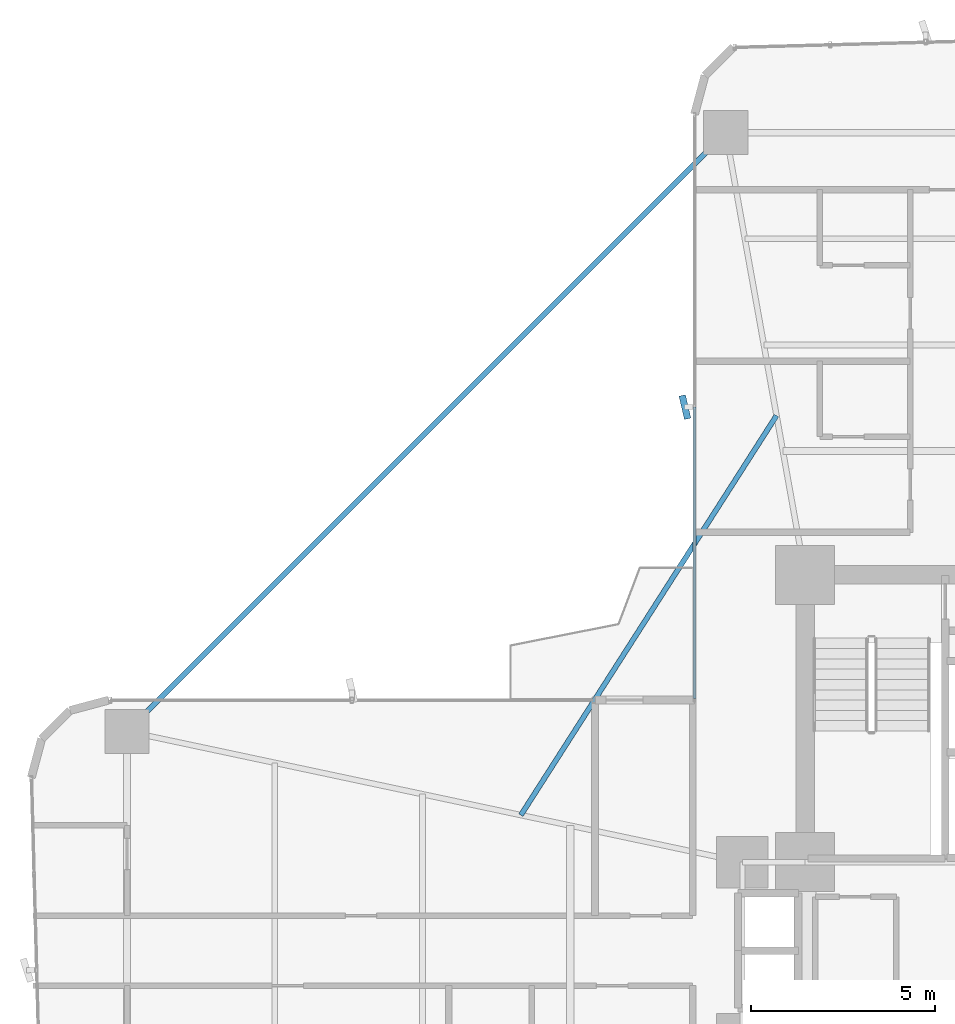
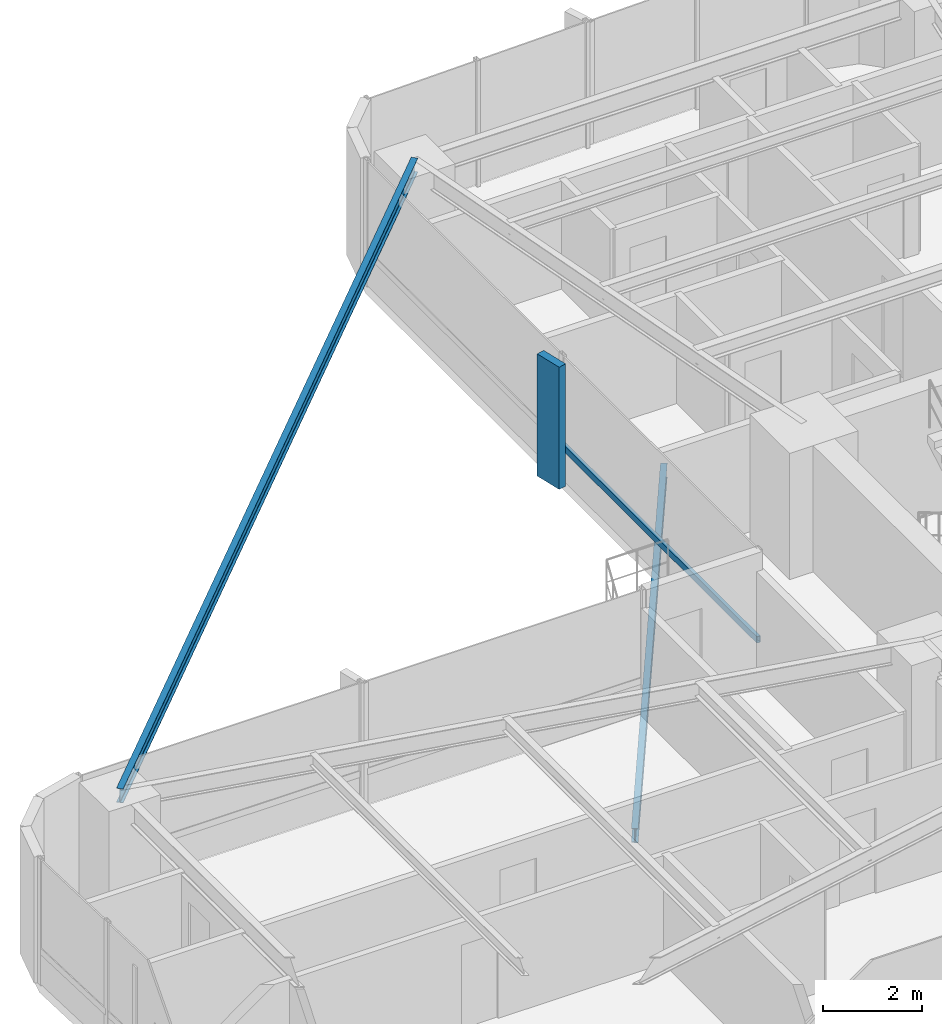
# One storey, part 17 of 26: 2 beams, 2 members, 1 element without a shape of its own.
"""IFC4 building model written with IfcOpenShell, lengths in metres."""

from ifc_helpers import new_model, si_unit, direction, frame, origin, origin_2d, place, context, subcontext, project, spatial, rectangle, hollow_rectangle, i_section, extrude, source, transform, mapped, material, material_profile, profile_set, type_object, element, aggregate, save


model = new_model("IFC4")

# Units and contexts
model_context = context("Model", 3, precision=1e-05, world=origin(), true_north=direction((0.0, 1.0)))
body_context = subcontext(model_context, "Body", "Model", "MODEL_VIEW")
ifc_project = project(units=[si_unit("LENGTHUNIT", "METRE"), si_unit("AREAUNIT", "SQUARE_METRE"), si_unit("VOLUMEUNIT", "CUBIC_METRE"), si_unit("PLANEANGLEUNIT", "RADIAN"), si_unit("MASSUNIT", "GRAM", prefix="KILO")], contexts=[model_context])

# Site, building, storey
site_placement = place(None, origin())
site = spatial("IfcSite", under=ifc_project, at=site_placement, CompositionType="ELEMENT")
building_placement = place(site_placement, origin())
building = spatial("IfcBuilding", under=site, at=building_placement, Name="Sahyath Konkavel Grand Hotel", CompositionType="ELEMENT")
storey_placement = place(building_placement, frame((0.0, 0.0, 29.800048828125)))
storey = spatial("IfcBuildingStorey", under=building, at=storey_placement, Name="L07", CompositionType="ELEMENT", Elevation=29.800048828125)

# Beam
ifc_material_1 = material(Name="Steel E350", Category="steel")
ifc_material_profile_1 = material_profile(ifc_material_1, i_section(OverallWidth=0.139892578125, OverallDepth=0.35009765625, WebThickness=0.008056640625, FlangeThickness=0.01416015625, FilletRadius=0.013916015625, at=origin_2d()), Name="ISMB 350")
ifc_profile_set_1 = profile_set([ifc_material_profile_1], Name="Steel E350")
beam_type_1 = type_object("IfcBeamType", Name="BM-ISMB350", PredefinedType="BEAM", material=ifc_profile_set_1)
shared_shape_1 = source(origin(), body_context, "Body", "SweptSolid", [
    extrude(i_section(OverallWidth=0.139892578125, OverallDepth=0.35009765625, WebThickness=0.008056640625, FlangeThickness=0.01416015625, FilletRadius=0.013916015625, at=origin_2d()), origin(), (0.0, 0.0, 1.0), 22.98095703125),
])
beam_1_placement = place(storey_placement, frame((-5.949951171875, 22.199951171875, 2.93505859375), z_axis=(-0.707106781187, -0.707106781187, 0.0), x_axis=(0.707106781187, -0.707106781187, 0.0)))
element("IfcBeam", 1, at=beam_1_placement, inside=storey, type_object=beam_type_1, Name="L07 Re-Entrant Tie Beam NW", PredefinedType="BEAM", context=body_context, shape_type="MappedRepresentation", body=[
    mapped(shared_shape_1, transform((0.0, 0.0, 0.0), scale=1.0)),
])

# Curtain wall, members
ifc_material_2 = material(Name="Anodised Bronze Aluminium & Low-E Glazing", Category="aluminium")
curtain_wall_type = type_object("IfcCurtainWallType", Name="CW-ZONE1", PredefinedType="NOTDEFINED", material=ifc_material_2)
curtain_wall_placement = place(storey_placement, origin())
curtain_wall = element("IfcCurtainWall", 2, at=curtain_wall_placement, inside=storey, type_object=curtain_wall_type, Name="L07 Unitised Curtain Wall F15", PredefinedType="NOTDEFINED")
ifc_material_3 = material(Name="Warm Buff Sandstone Cladding on Concrete C50/60", Category="masonry")
ifc_material_profile_2 = material_profile(ifc_material_3, rectangle(XDim=0.179931640625, YDim=0.64990234375, at=origin_2d()), Name="FIN 180x650")
ifc_profile_set_2 = profile_set([ifc_material_profile_2], Name="Warm Buff Sandstone Cladding on Concrete C50/60")
member_type_1 = type_object("IfcMemberType", Name="FIN-SANDSTONE-650", PredefinedType="MULLION", material=ifc_profile_set_2)
shared_shape_2 = source(origin(), body_context, "Body", "SweptSolid", [
    extrude(rectangle(XDim=0.179931640625, YDim=0.64990234375, at=origin_2d()), origin(), (0.0, 0.0, 1.0), 3.010009765625),
])
member_1_placement = place(storey_placement, frame((-7.06005859375, 14.75, 0.050048828125), z_axis=(0.0, 0.0, 1.0), x_axis=(0.973896791711, 0.226991275371, 0.0)))
member_1 = element("IfcMember", 3, at=member_1_placement, type_object=member_type_1, Name="L07 Sandstone Vertical Solar Fin FIN F15-1", PredefinedType="MULLION", context=body_context, shape_type="MappedRepresentation", body=[
    mapped(shared_shape_2, transform((0.0, 0.0, 0.0), scale=1.0)),
])
ifc_material_4 = material(Name="Anodised Bronze Aluminium", Category="aluminium")
ifc_material_profile_3 = material_profile(ifc_material_4, hollow_rectangle(XDim=0.080078125, YDim=0.159912109375, WallThickness=0.006103515625, at=origin_2d()), Name="RHS 160x80x6")
ifc_profile_set_3 = profile_set([ifc_material_profile_3], Name="Anodised Bronze Aluminium")
member_type_2 = type_object("IfcMemberType", Name="CW-TRN-160", PredefinedType="USERDEFINED", material=ifc_profile_set_3)
shared_shape_3 = source(origin(), body_context, "Body", "SweptSolid", [
    extrude(hollow_rectangle(XDim=0.080078125, YDim=0.159912109375, WallThickness=0.006103515625, at=origin_2d()), origin(), (0.0, 0.0, 1.0), 7.909912109375),
])
member_2_placement = place(storey_placement, frame((-6.800048828125, 14.75, 0.849853515625), z_axis=(0.0, -1.0, 0.0), x_axis=(1.0, 0.0, 0.0)))
member_2 = element("IfcMember", 4, at=member_2_placement, type_object=member_type_2, Name="L07 Curtain Wall Transom F15-1-spandrel", ObjectType="TRANSOM", PredefinedType="USERDEFINED", context=body_context, shape_type="MappedRepresentation", body=[
    mapped(shared_shape_3, transform((0.0, 0.0, 0.0), scale=1.0)),
])
aggregate(curtain_wall, [member_1, member_2])

# Beam
ifc_material_profile_4 = material_profile(ifc_material_1, i_section(OverallWidth=0.139892578125, OverallDepth=0.35009765625, WebThickness=0.008056640625, FlangeThickness=0.01416015625, FilletRadius=0.013916015625, at=origin_2d()), Name="ISMB 350")
ifc_profile_set_4 = profile_set([ifc_material_profile_4], Name="Steel E350")
beam_type_2 = type_object("IfcBeamType", Name="BM-BALC-CANT", PredefinedType="BEAM", material=ifc_profile_set_4)
shared_shape_4 = source(origin(), body_context, "Body", "SweptSolid", [
    extrude(i_section(OverallWidth=0.139892578125, OverallDepth=0.35009765625, WebThickness=0.008056640625, FlangeThickness=0.01416015625, FilletRadius=0.013916015625, at=origin_2d()), origin(), (0.0, 0.0, 1.0), 12.871826171875),
])
beam_2_placement = place(storey_placement, frame((-4.573974609375, 14.52001953125, -0.4150390625), z_axis=(-0.539003102535, -0.842303778608, 0.0), x_axis=(0.842303778608, -0.539003102535, 0.0)))
element("IfcBeam", 5, at=beam_2_placement, inside=storey, type_object=beam_type_2, Name="L07 Balcony Cantilever Support Beam NW", PredefinedType="BEAM", context=body_context, shape_type="MappedRepresentation", body=[
    mapped(shared_shape_4, transform((0.0, 0.0, 0.0), scale=1.0)),
])

save(model, "model.ifc")
